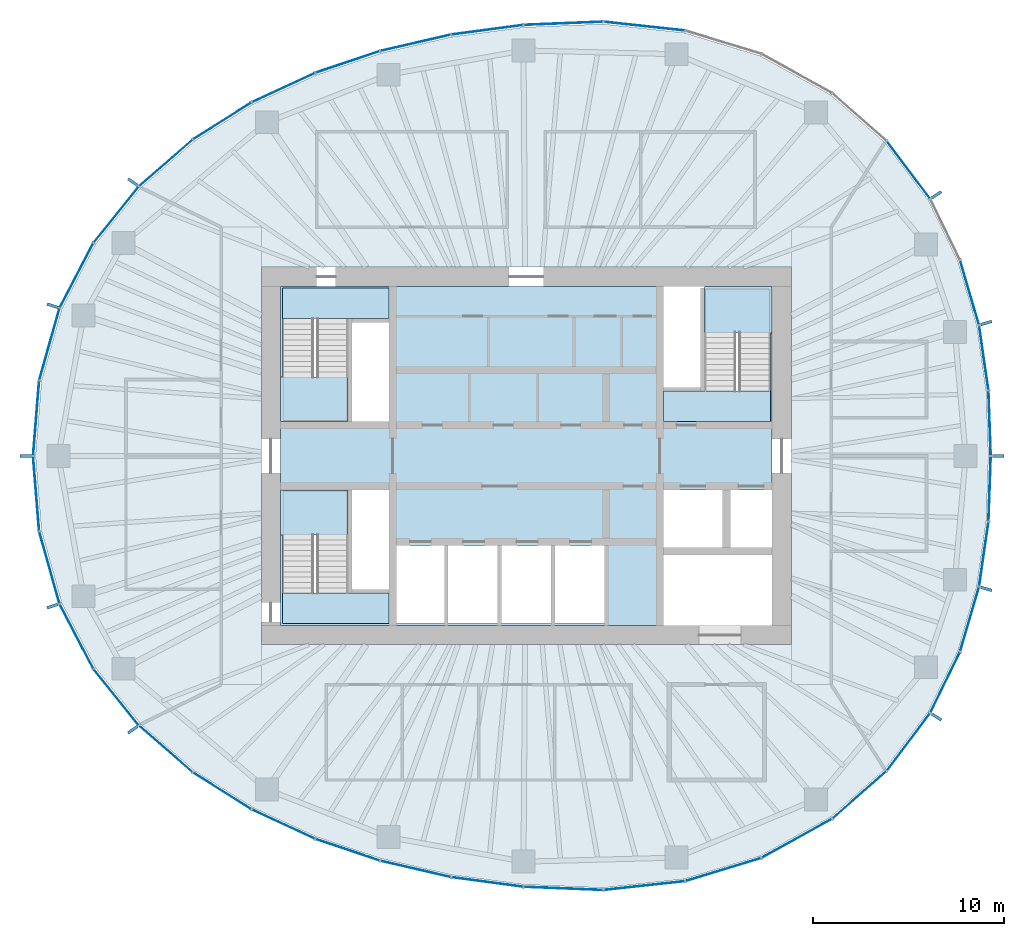
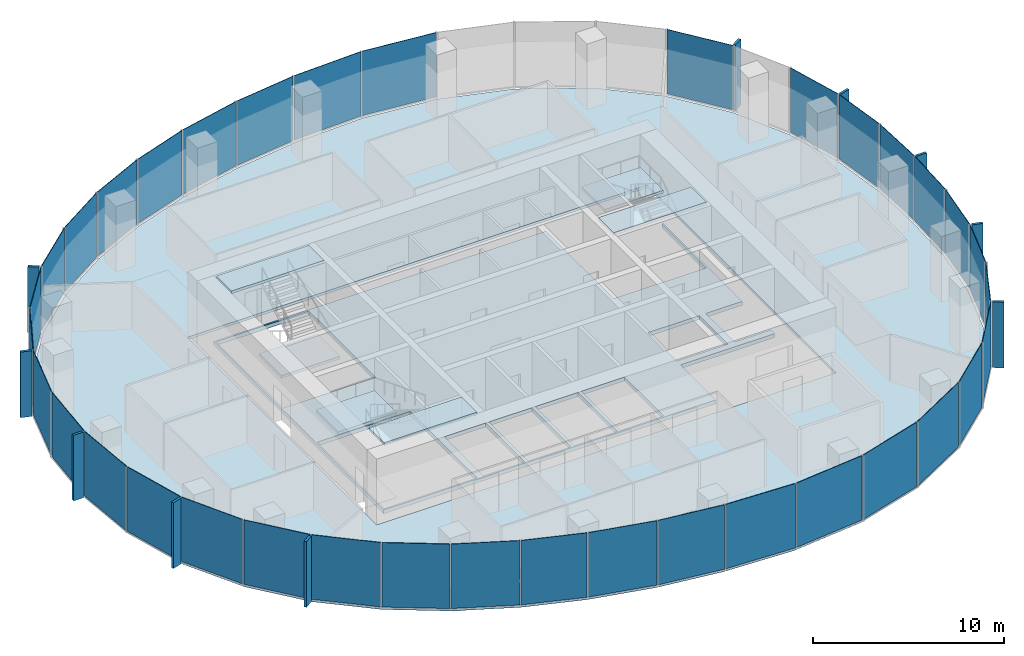
# One storey, part 7 of 11: 46 plates, 8 slabs, 22 elements without a shape of their own.
"""IFC4 building model written with IfcOpenShell, lengths in metres."""

from ifc_helpers import new_model, si_unit, direction, frame, origin, origin_2d, place, context, subcontext, project, spatial, polyline, rectangle, outline, extrude, material, layer, layer_set, type_object, element, aggregate, save


model = new_model("IFC4")

# Units and contexts
model_context = context("Model", 3, precision=1e-05, world=origin(), true_north=direction((0.0, 1.0)))
body_context = subcontext(model_context, "Body", "Model", "MODEL_VIEW")
ifc_project = project(units=[si_unit("LENGTHUNIT", "METRE"), si_unit("AREAUNIT", "SQUARE_METRE"), si_unit("VOLUMEUNIT", "CUBIC_METRE"), si_unit("PLANEANGLEUNIT", "RADIAN"), si_unit("MASSUNIT", "GRAM", prefix="KILO")], contexts=[model_context])

# Site, building, storey
site_placement = place(None, origin())
site = spatial("IfcSite", under=ifc_project, at=site_placement, CompositionType="ELEMENT")
building_placement = place(site_placement, origin())
building = spatial("IfcBuilding", under=site, at=building_placement, Name="Ghaith Harvest Tower", CompositionType="ELEMENT")
storey_placement = place(building_placement, frame((0.0, 0.0, 275.39990234375)))
storey = spatial("IfcBuildingStorey", under=building, at=storey_placement, Name="L61", CompositionType="ELEMENT", Elevation=275.39990234375)

# Curtain wall, plates
ifc_material_1 = material(Name="Black anodised aluminium and fritted glass", Category="aluminium")
curtain_wall_type = type_object("IfcCurtainWallType", Name="CW-T CURTAIN WALL", PredefinedType="NOTDEFINED", material=ifc_material_1)
curtain_wall_1_placement = place(storey_placement, origin())
curtain_wall_1 = element("IfcCurtainWall", 1, at=curtain_wall_1_placement, inside=storey, type_object=curtain_wall_type, Name="Curtain wall CW-T bay 01 L61", PredefinedType="NOTDEFINED")
ifc_material_2 = material(Name="Glass, dark solar-control fritted double glazed unit", Category="glass")
ifc_layer_1 = layer(ifc_material_2, 0.033935546875)
ifc_layer_set_1 = layer_set([ifc_layer_1], Name="CW-T VISION PANEL")
plate_type_1 = type_object("IfcPlateType", Name="CW-T VISION PANEL", PredefinedType="CURTAIN_PANEL", material=ifc_layer_set_1)
plate_1_placement = place(storey_placement, frame((24.308837890625, 1.716796875, 0.080078125), z_axis=(0.0, 0.0, 1.0), x_axis=(-0.035536161859, 0.999368391135, 0.0)))
plate_1 = element("IfcPlate", 2, at=plate_1_placement, type_object=plate_type_1, Name="CW-T glass unit 1 bay 01 L61", PredefinedType="CURTAIN_PANEL", context=body_context, shape_type="SweptSolid", body=[
    extrude(rectangle(XDim=3.35595703125, YDim=0.033935546875, at=origin_2d()), origin(), (0.0, 0.0, 1.0), 4.1201171875),
])
plate_2_placement = place(storey_placement, frame((24.00048828125, 5.1494140625, 0.080078125), z_axis=(0.0, 0.0, 1.0), x_axis=(-0.142729771229, 0.989761694755, 0.0)))
plate_2 = element("IfcPlate", 3, at=plate_2_placement, type_object=plate_type_1, Name="CW-T glass unit 2 bay 01 L61", PredefinedType="CURTAIN_PANEL", context=body_context, shape_type="SweptSolid", body=[
    extrude(rectangle(XDim=3.38671875, YDim=0.033935546875, at=origin_2d()), origin(), (0.0, 0.0, 1.0), 4.1201171875),
])
aggregate(curtain_wall_1, [plate_1, plate_2])

# Curtain wall, plate
curtain_wall_2_placement = place(storey_placement, origin())
curtain_wall_2 = element("IfcCurtainWall", 4, at=curtain_wall_2_placement, inside=storey, type_object=curtain_wall_type, Name="Curtain wall CW-T bay 02 L61", PredefinedType="NOTDEFINED")
plate_3_placement = place(storey_placement, frame((23.253662109375, 8.56884765625, 0.080078125), z_axis=(0.0, 0.0, 1.0), x_axis=(-0.281344622776, 0.959606796159, 0.0)))
plate_3 = element("IfcPlate", 5, at=plate_3_placement, type_object=plate_type_1, Name="CW-T glass unit 1 bay 02 L61", PredefinedType="CURTAIN_PANEL", context=body_context, shape_type="SweptSolid", body=[
    extrude(rectangle(XDim=3.470703125, YDim=0.033935546875, at=origin_2d()), origin(), (0.0, 0.0, 1.0), 4.1201171875),
])
aggregate(curtain_wall_2, [plate_3])

curtain_wall_3_placement = place(storey_placement, origin())
curtain_wall_3 = element("IfcCurtainWall", 6, at=curtain_wall_3_placement, inside=storey, type_object=curtain_wall_type, Name="Curtain wall CW-T bay 03 L61", PredefinedType="NOTDEFINED")
plate_4_placement = place(storey_placement, frame((20.045166015625, 15.006103515625, 0.080078125), z_axis=(0.0, 0.0, 1.0), x_axis=(-0.601047892764, 0.799213007029, 0.0)))
plate_4 = element("IfcPlate", 7, at=plate_4_placement, type_object=plate_type_1, Name="CW-T glass unit 1 bay 03 L61", PredefinedType="CURTAIN_PANEL", context=body_context, shape_type="SweptSolid", body=[
    extrude(rectangle(XDim=3.7265625, YDim=0.033935546875, at=origin_2d()), origin(), (0.0, 0.0, 1.0), 4.1201171875),
])
aggregate(curtain_wall_3, [plate_4])

# Curtain wall, plates
curtain_wall_4_placement = place(storey_placement, origin())
curtain_wall_4 = element("IfcCurtainWall", 8, at=curtain_wall_4_placement, inside=storey, type_object=curtain_wall_type, Name="Curtain wall CW-T bay 05 L61", PredefinedType="NOTDEFINED")
plate_5_placement = place(storey_placement, frame((6.188720703125, 22.542724609375, 0.080078125), z_axis=(0.0, 0.0, 1.0), x_axis=(-0.994142883447, 0.108073712304, 0.0)))
plate_5 = element("IfcPlate", 9, at=plate_5_placement, type_object=plate_type_1, Name="CW-T glass unit 1 bay 05 L61", PredefinedType="CURTAIN_PANEL", context=body_context, shape_type="SweptSolid", body=[
    extrude(rectangle(XDim=4.24755859375, YDim=0.033935546875, at=origin_2d()), origin(), (0.0, 0.0, 1.0), 4.1201171875),
])
plate_6_placement = place(storey_placement, frame((1.94140625, 22.691162109375, 0.080078125), z_axis=(0.0, 0.0, 1.0), x_axis=(-0.999173925852, -0.040638231968, 0.0)))
plate_6 = element("IfcPlate", 10, at=plate_6_placement, type_object=plate_type_1, Name="CW-T glass unit 2 bay 05 L61", PredefinedType="CURTAIN_PANEL", context=body_context, shape_type="SweptSolid", body=[
    extrude(rectangle(XDim=4.115966796875, YDim=0.033935546875, at=origin_2d()), origin(), (0.0, 0.0, 1.0), 4.1201171875),
])
aggregate(curtain_wall_4, [plate_5, plate_6])

curtain_wall_5_placement = place(storey_placement, origin())
curtain_wall_5 = element("IfcCurtainWall", 11, at=curtain_wall_5_placement, inside=storey, type_object=curtain_wall_type, Name="Curtain wall CW-T bay 06 L61", PredefinedType="NOTDEFINED")
plate_7_placement = place(storey_placement, frame((-2.050537109375, 22.352294921875, 0.080078125), z_axis=(0.0, 0.0, 1.0), x_axis=(-0.991165262661, -0.132632658474, 0.0)))
plate_7 = element("IfcPlate", 12, at=plate_7_placement, type_object=plate_type_1, Name="CW-T glass unit 1 bay 06 L61", PredefinedType="CURTAIN_PANEL", context=body_context, shape_type="SweptSolid", body=[
    extrude(rectangle(XDim=3.74560546875, YDim=0.033935546875, at=origin_2d()), origin(), (0.0, 0.0, 1.0), 4.1201171875),
])
plate_8_placement = place(storey_placement, frame((-5.80859375, 21.66845703125, 0.080078125), z_axis=(0.0, 0.0, 1.0), x_axis=(-0.974342245415, -0.225071519297, 0.0)))
plate_8 = element("IfcPlate", 13, at=plate_8_placement, type_object=plate_type_1, Name="CW-T glass unit 2 bay 06 L61", PredefinedType="CURTAIN_PANEL", context=body_context, shape_type="SweptSolid", body=[
    extrude(rectangle(XDim=3.742431640625, YDim=0.033935546875, at=origin_2d()), origin(), (0.0, 0.0, 1.0), 4.1201171875),
])
aggregate(curtain_wall_5, [plate_7, plate_8])

curtain_wall_6_placement = place(storey_placement, origin())
curtain_wall_6 = element("IfcCurtainWall", 14, at=curtain_wall_6_placement, inside=storey, type_object=curtain_wall_type, Name="Curtain wall CW-T bay 07 L61", PredefinedType="NOTDEFINED")
plate_9_placement = place(storey_placement, frame((-9.369140625, 20.665771484375, 0.080078125), z_axis=(0.0, 0.0, 1.0), x_axis=(-0.947586403329, -0.319499621637, 0.0)))
plate_9 = element("IfcPlate", 15, at=plate_9_placement, type_object=plate_type_1, Name="CW-T glass unit 1 bay 07 L61", PredefinedType="CURTAIN_PANEL", context=body_context, shape_type="SweptSolid", body=[
    extrude(rectangle(XDim=3.50439453125, YDim=0.033935546875, at=origin_2d()), origin(), (0.0, 0.0, 1.0), 4.1201171875),
])
plate_10_placement = place(storey_placement, frame((-12.736083984375, 19.3203125, 0.080078125), z_axis=(0.0, 0.0, 1.0), x_axis=(-0.907450165401, -0.420159728334, 0.0)))
plate_10 = element("IfcPlate", 16, at=plate_10_placement, type_object=plate_type_1, Name="CW-T glass unit 2 bay 07 L61", PredefinedType="CURTAIN_PANEL", context=body_context, shape_type="SweptSolid", body=[
    extrude(rectangle(XDim=3.597900390625, YDim=0.033935546875, at=origin_2d()), origin(), (0.0, 0.0, 1.0), 4.1201171875),
])
aggregate(curtain_wall_6, [plate_9, plate_10])

curtain_wall_7_placement = place(storey_placement, origin())
curtain_wall_7 = element("IfcCurtainWall", 17, at=curtain_wall_7_placement, inside=storey, type_object=curtain_wall_type, Name="Curtain wall CW-T bay 08 L61", PredefinedType="NOTDEFINED")
plate_11_placement = place(storey_placement, frame((-15.94970703125, 17.57421875, 0.080078125), z_axis=(0.0, 0.0, 1.0), x_axis=(-0.846043473903, -0.533113909279, 0.0)))
plate_11 = element("IfcPlate", 18, at=plate_11_placement, type_object=plate_type_1, Name="CW-T glass unit 1 bay 08 L61", PredefinedType="CURTAIN_PANEL", context=body_context, shape_type="SweptSolid", body=[
    extrude(rectangle(XDim=3.572021484375, YDim=0.033935546875, at=origin_2d()), origin(), (0.0, 0.0, 1.0), 4.1201171875),
])
plate_12_placement = place(storey_placement, frame((-18.909423828125, 15.371337890625, 0.080078125), z_axis=(0.0, 0.0, 1.0), x_axis=(-0.754828549513, -0.655922145411, 0.0)))
plate_12 = element("IfcPlate", 19, at=plate_12_placement, type_object=plate_type_1, Name="CW-T glass unit 2 bay 08 L61", PredefinedType="CURTAIN_PANEL", context=body_context, shape_type="SweptSolid", body=[
    extrude(rectangle(XDim=3.668701171875, YDim=0.033935546875, at=origin_2d()), origin(), (0.0, 0.0, 1.0), 4.1201171875),
])
aggregate(curtain_wall_7, [plate_11, plate_12])

curtain_wall_8_placement = place(storey_placement, origin())
curtain_wall_8 = element("IfcCurtainWall", 20, at=curtain_wall_8_placement, inside=storey, type_object=curtain_wall_type, Name="Curtain wall CW-T bay 09 L61", PredefinedType="NOTDEFINED")
plate_13_placement = place(storey_placement, frame((-21.515380859375, 12.6591796875, 0.080078125), z_axis=(0.0, 0.0, 1.0), x_axis=(-0.626229505742, -0.779638766441, 0.0)))
plate_13 = element("IfcPlate", 21, at=plate_13_placement, type_object=plate_type_1, Name="CW-T glass unit 1 bay 09 L61", PredefinedType="CURTAIN_PANEL", context=body_context, shape_type="SweptSolid", body=[
    extrude(rectangle(XDim=3.723388671875, YDim=0.033935546875, at=origin_2d()), origin(), (0.0, 0.0, 1.0), 4.1201171875),
])
plate_14_placement = place(storey_placement, frame((-23.594482421875, 9.4677734375, 0.080078125), z_axis=(0.0, 0.0, 1.0), x_axis=(-0.461229945578, -0.887280641794, 0.0)))
plate_14 = element("IfcPlate", 22, at=plate_14_placement, type_object=plate_type_1, Name="CW-T glass unit 2 bay 09 L61", PredefinedType="CURTAIN_PANEL", context=body_context, shape_type="SweptSolid", body=[
    extrude(rectangle(XDim=3.771728515625, YDim=0.033935546875, at=origin_2d()), origin(), (0.0, 0.0, 1.0), 4.1201171875),
])
aggregate(curtain_wall_8, [plate_13, plate_14])

curtain_wall_9_placement = place(storey_placement, origin())
curtain_wall_9 = element("IfcCurtainWall", 23, at=curtain_wall_9_placement, inside=storey, type_object=curtain_wall_type, Name="Curtain wall CW-T bay 10 L61", PredefinedType="NOTDEFINED")
plate_15_placement = place(storey_placement, frame((-25.017333984375, 5.85546875, 0.080078125), z_axis=(0.0, 0.0, 1.0), x_axis=(-0.270355239749, -0.962760637095, 0.0)))
plate_15 = element("IfcPlate", 24, at=plate_15_placement, type_object=plate_type_1, Name="CW-T glass unit 1 bay 10 L61", PredefinedType="CURTAIN_PANEL", context=body_context, shape_type="SweptSolid", body=[
    extrude(rectangle(XDim=3.874267578125, YDim=0.033935546875, at=origin_2d()), origin(), (0.0, 0.0, 1.0), 4.1201171875),
])
plate_16_placement = place(storey_placement, frame((-25.7109375, 1.97607421875, 0.080078125), z_axis=(0.0, 0.0, 1.0), x_axis=(-0.080257648011, -0.99677415192, 0.0)))
plate_16 = element("IfcPlate", 25, at=plate_16_placement, type_object=plate_type_1, Name="CW-T glass unit 2 bay 10 L61", PredefinedType="CURTAIN_PANEL", context=body_context, shape_type="SweptSolid", body=[
    extrude(rectangle(XDim=3.884765625, YDim=0.033935546875, at=origin_2d()), origin(), (0.0, 0.0, 1.0), 4.1201171875),
])
aggregate(curtain_wall_9, [plate_15, plate_16])

curtain_wall_10_placement = place(storey_placement, origin())
curtain_wall_10 = element("IfcCurtainWall", 26, at=curtain_wall_10_placement, inside=storey, type_object=curtain_wall_type, Name="Curtain wall CW-T bay 11 L61", PredefinedType="NOTDEFINED")
plate_17_placement = place(storey_placement, frame((-25.7109375, -1.97607421875, 0.080078125), z_axis=(0.0, 0.0, 1.0), x_axis=(0.080257648324, -0.996774151895, 0.0)))
plate_17 = element("IfcPlate", 27, at=plate_17_placement, type_object=plate_type_1, Name="CW-T glass unit 1 bay 11 L61", PredefinedType="CURTAIN_PANEL", context=body_context, shape_type="SweptSolid", body=[
    extrude(rectangle(XDim=3.884765625, YDim=0.033935546875, at=origin_2d()), origin(), (0.0, 0.0, 1.0), 4.1201171875),
])
plate_18_placement = place(storey_placement, frame((-25.017333984375, -5.85546875, 0.080078125), z_axis=(0.0, 0.0, 1.0), x_axis=(0.27035523953, -0.962760637157, 0.0)))
plate_18 = element("IfcPlate", 28, at=plate_18_placement, type_object=plate_type_1, Name="CW-T glass unit 2 bay 11 L61", PredefinedType="CURTAIN_PANEL", context=body_context, shape_type="SweptSolid", body=[
    extrude(rectangle(XDim=3.874267578125, YDim=0.033935546875, at=origin_2d()), origin(), (0.0, 0.0, 1.0), 4.1201171875),
])
aggregate(curtain_wall_10, [plate_17, plate_18])

curtain_wall_11_placement = place(storey_placement, origin())
curtain_wall_11 = element("IfcCurtainWall", 29, at=curtain_wall_11_placement, inside=storey, type_object=curtain_wall_type, Name="Curtain wall CW-T bay 12 L61", PredefinedType="NOTDEFINED")
plate_19_placement = place(storey_placement, frame((-23.594482421875, -9.4677734375, 0.080078125), z_axis=(0.0, 0.0, 1.0), x_axis=(0.461229945377, -0.887280641898, 0.0)))
plate_19 = element("IfcPlate", 30, at=plate_19_placement, type_object=plate_type_1, Name="CW-T glass unit 1 bay 12 L61", PredefinedType="CURTAIN_PANEL", context=body_context, shape_type="SweptSolid", body=[
    extrude(rectangle(XDim=3.771728515625, YDim=0.033935546875, at=origin_2d()), origin(), (0.0, 0.0, 1.0), 4.1201171875),
])
plate_20_placement = place(storey_placement, frame((-21.515380859375, -12.6591796875, 0.080078125), z_axis=(0.0, 0.0, 1.0), x_axis=(0.626229505565, -0.779638766583, 0.0)))
plate_20 = element("IfcPlate", 31, at=plate_20_placement, type_object=plate_type_1, Name="CW-T glass unit 2 bay 12 L61", PredefinedType="CURTAIN_PANEL", context=body_context, shape_type="SweptSolid", body=[
    extrude(rectangle(XDim=3.723388671875, YDim=0.033935546875, at=origin_2d()), origin(), (0.0, 0.0, 1.0), 4.1201171875),
])
aggregate(curtain_wall_11, [plate_19, plate_20])

curtain_wall_12_placement = place(storey_placement, origin())
curtain_wall_12 = element("IfcCurtainWall", 32, at=curtain_wall_12_placement, inside=storey, type_object=curtain_wall_type, Name="Curtain wall CW-T bay 13 L61", PredefinedType="NOTDEFINED")
plate_21_placement = place(storey_placement, frame((-18.909423828125, -15.371337890625, 0.080078125), z_axis=(0.0, 0.0, 1.0), x_axis=(0.754828549376, -0.655922145569, 0.0)))
plate_21 = element("IfcPlate", 33, at=plate_21_placement, type_object=plate_type_1, Name="CW-T glass unit 1 bay 13 L61", PredefinedType="CURTAIN_PANEL", context=body_context, shape_type="SweptSolid", body=[
    extrude(rectangle(XDim=3.668701171875, YDim=0.033935546875, at=origin_2d()), origin(), (0.0, 0.0, 1.0), 4.1201171875),
])
plate_22_placement = place(storey_placement, frame((-15.94970703125, -17.57421875, 0.080078125), z_axis=(0.0, 0.0, 1.0), x_axis=(0.846043474052, -0.533113909042, 0.0)))
plate_22 = element("IfcPlate", 34, at=plate_22_placement, type_object=plate_type_1, Name="CW-T glass unit 2 bay 13 L61", PredefinedType="CURTAIN_PANEL", context=body_context, shape_type="SweptSolid", body=[
    extrude(rectangle(XDim=3.572021484375, YDim=0.033935546875, at=origin_2d()), origin(), (0.0, 0.0, 1.0), 4.1201171875),
])
aggregate(curtain_wall_12, [plate_21, plate_22])

curtain_wall_13_placement = place(storey_placement, origin())
curtain_wall_13 = element("IfcCurtainWall", 35, at=curtain_wall_13_placement, inside=storey, type_object=curtain_wall_type, Name="Curtain wall CW-T bay 14 L61", PredefinedType="NOTDEFINED")
plate_23_placement = place(storey_placement, frame((-12.736083984375, -19.3203125, 0.080078125), z_axis=(0.0, 0.0, 1.0), x_axis=(0.907450165812, -0.420159727447, 0.0)))
plate_23 = element("IfcPlate", 36, at=plate_23_placement, type_object=plate_type_1, Name="CW-T glass unit 1 bay 14 L61", PredefinedType="CURTAIN_PANEL", context=body_context, shape_type="SweptSolid", body=[
    extrude(rectangle(XDim=3.597900390625, YDim=0.033935546875, at=origin_2d()), origin(), (0.0, 0.0, 1.0), 4.1201171875),
])
plate_24_placement = place(storey_placement, frame((-9.369140625, -20.665771484375, 0.080078125), z_axis=(0.0, 0.0, 1.0), x_axis=(0.947586403597, -0.319499620843, 0.0)))
plate_24 = element("IfcPlate", 37, at=plate_24_placement, type_object=plate_type_1, Name="CW-T glass unit 2 bay 14 L61", PredefinedType="CURTAIN_PANEL", context=body_context, shape_type="SweptSolid", body=[
    extrude(rectangle(XDim=3.50439453125, YDim=0.033935546875, at=origin_2d()), origin(), (0.0, 0.0, 1.0), 4.1201171875),
])
aggregate(curtain_wall_13, [plate_23, plate_24])

curtain_wall_14_placement = place(storey_placement, origin())
curtain_wall_14 = element("IfcCurtainWall", 38, at=curtain_wall_14_placement, inside=storey, type_object=curtain_wall_type, Name="Curtain wall CW-T bay 15 L61", PredefinedType="NOTDEFINED")
plate_25_placement = place(storey_placement, frame((-5.80859375, -21.66845703125, 0.080078125), z_axis=(0.0, 0.0, 1.0), x_axis=(0.974342245521, -0.225071518838, 0.0)))
plate_25 = element("IfcPlate", 39, at=plate_25_placement, type_object=plate_type_1, Name="CW-T glass unit 1 bay 15 L61", PredefinedType="CURTAIN_PANEL", context=body_context, shape_type="SweptSolid", body=[
    extrude(rectangle(XDim=3.742431640625, YDim=0.033935546875, at=origin_2d()), origin(), (0.0, 0.0, 1.0), 4.1201171875),
])
plate_26_placement = place(storey_placement, frame((-2.050537109375, -22.352294921875, 0.080078125), z_axis=(0.0, 0.0, 1.0), x_axis=(0.991165262684, -0.132632658301, 0.0)))
plate_26 = element("IfcPlate", 40, at=plate_26_placement, type_object=plate_type_1, Name="CW-T glass unit 2 bay 15 L61", PredefinedType="CURTAIN_PANEL", context=body_context, shape_type="SweptSolid", body=[
    extrude(rectangle(XDim=3.74560546875, YDim=0.033935546875, at=origin_2d()), origin(), (0.0, 0.0, 1.0), 4.1201171875),
])
aggregate(curtain_wall_14, [plate_25, plate_26])

curtain_wall_15_placement = place(storey_placement, origin())
curtain_wall_15 = element("IfcCurtainWall", 41, at=curtain_wall_15_placement, inside=storey, type_object=curtain_wall_type, Name="Curtain wall CW-T bay 16 L61", PredefinedType="NOTDEFINED")
plate_27_placement = place(storey_placement, frame((1.94140625, -22.691162109375, 0.080078125), z_axis=(0.0, 0.0, 1.0), x_axis=(0.999173925863, -0.040638231706, 0.0)))
plate_27 = element("IfcPlate", 42, at=plate_27_placement, type_object=plate_type_1, Name="CW-T glass unit 1 bay 16 L61", PredefinedType="CURTAIN_PANEL", context=body_context, shape_type="SweptSolid", body=[
    extrude(rectangle(XDim=4.115966796875, YDim=0.033935546875, at=origin_2d()), origin(), (0.0, 0.0, 1.0), 4.1201171875),
])
plate_28_placement = place(storey_placement, frame((6.188720703125, -22.542724609375, 0.080078125), z_axis=(0.0, 0.0, 1.0), x_axis=(0.994142883417, 0.108073712581, 0.0)))
plate_28 = element("IfcPlate", 43, at=plate_28_placement, type_object=plate_type_1, Name="CW-T glass unit 2 bay 16 L61", PredefinedType="CURTAIN_PANEL", context=body_context, shape_type="SweptSolid", body=[
    extrude(rectangle(XDim=4.24755859375, YDim=0.033935546875, at=origin_2d()), origin(), (0.0, 0.0, 1.0), 4.1201171875),
])
aggregate(curtain_wall_15, [plate_27, plate_28])

curtain_wall_16_placement = place(storey_placement, origin())
curtain_wall_16 = element("IfcCurtainWall", 44, at=curtain_wall_16_placement, inside=storey, type_object=curtain_wall_type, Name="Curtain wall CW-T bay 17 L61", PredefinedType="NOTDEFINED")
plate_29_placement = place(storey_placement, frame((10.337158203125, -21.700439453125, 0.080078125), z_axis=(0.0, 0.0, 1.0), x_axis=(0.956587736012, 0.291444511548, 0.0)))
plate_29 = element("IfcPlate", 45, at=plate_29_placement, type_object=plate_type_1, Name="CW-T glass unit 1 bay 17 L61", PredefinedType="CURTAIN_PANEL", context=body_context, shape_type="SweptSolid", body=[
    extrude(rectangle(XDim=4.095703125, YDim=0.033935546875, at=origin_2d()), origin(), (0.0, 0.0, 1.0), 4.1201171875),
])
plate_30_placement = place(storey_placement, frame((14.19189453125, -20.06201171875, 0.080078125), z_axis=(0.0, 0.0, 1.0), x_axis=(0.874564022715, 0.484910064004, 0.0)))
plate_30 = element("IfcPlate", 46, at=plate_30_placement, type_object=plate_type_1, Name="CW-T glass unit 2 bay 17 L61", PredefinedType="CURTAIN_PANEL", context=body_context, shape_type="SweptSolid", body=[
    extrude(rectangle(XDim=4.167724609375, YDim=0.033935546875, at=origin_2d()), origin(), (0.0, 0.0, 1.0), 4.1201171875),
])
aggregate(curtain_wall_16, [plate_29, plate_30])

curtain_wall_17_placement = place(storey_placement, origin())
curtain_wall_17 = element("IfcCurtainWall", 47, at=curtain_wall_17_placement, inside=storey, type_object=curtain_wall_type, Name="Curtain wall CW-T bay 18 L61", PredefinedType="NOTDEFINED")
plate_31_placement = place(storey_placement, frame((17.47509765625, -17.779541015625, 0.080078125), z_axis=(0.0, 0.0, 1.0), x_axis=(0.751334532577, 0.659921525757, 0.0)))
plate_31 = element("IfcPlate", 48, at=plate_31_placement, type_object=plate_type_1, Name="CW-T glass unit 1 bay 18 L61", PredefinedType="CURTAIN_PANEL", context=body_context, shape_type="SweptSolid", body=[
    extrude(rectangle(XDim=3.7158203125, YDim=0.033935546875, at=origin_2d()), origin(), (0.0, 0.0, 1.0), 4.1201171875),
])
plate_32_placement = place(storey_placement, frame((20.045166015625, -15.006103515625, 0.080078125), z_axis=(0.0, 0.0, 1.0), x_axis=(0.601047892945, 0.799213006892, 0.0)))
plate_32 = element("IfcPlate", 49, at=plate_32_placement, type_object=plate_type_1, Name="CW-T glass unit 2 bay 18 L61", PredefinedType="CURTAIN_PANEL", context=body_context, shape_type="SweptSolid", body=[
    extrude(rectangle(XDim=3.7265625, YDim=0.033935546875, at=origin_2d()), origin(), (0.0, 0.0, 1.0), 4.1201171875),
])
aggregate(curtain_wall_17, [plate_31, plate_32])

curtain_wall_18_placement = place(storey_placement, origin())
curtain_wall_18 = element("IfcCurtainWall", 50, at=curtain_wall_18_placement, inside=storey, type_object=curtain_wall_type, Name="Curtain wall CW-T bay 19 L61", PredefinedType="NOTDEFINED")
plate_33_placement = place(storey_placement, frame((21.9716796875, -11.878662109375, 0.080078125), z_axis=(0.0, 0.0, 1.0), x_axis=(0.437968365352, 0.898990384237, 0.0)))
plate_33 = element("IfcPlate", 51, at=plate_33_placement, type_object=plate_type_1, Name="CW-T glass unit 1 bay 19 L61", PredefinedType="CURTAIN_PANEL", context=body_context, shape_type="SweptSolid", body=[
    extrude(rectangle(XDim=3.49365234375, YDim=0.033935546875, at=origin_2d()), origin(), (0.0, 0.0, 1.0), 4.1201171875),
])
plate_34_placement = place(storey_placement, frame((23.253662109375, -8.56884765625, 0.080078125), z_axis=(0.0, 0.0, 1.0), x_axis=(0.281344622977, 0.9596067961, 0.0)))
plate_34 = element("IfcPlate", 52, at=plate_34_placement, type_object=plate_type_1, Name="CW-T glass unit 2 bay 19 L61", PredefinedType="CURTAIN_PANEL", context=body_context, shape_type="SweptSolid", body=[
    extrude(rectangle(XDim=3.470703125, YDim=0.033935546875, at=origin_2d()), origin(), (0.0, 0.0, 1.0), 4.1201171875),
])
aggregate(curtain_wall_18, [plate_33, plate_34])

curtain_wall_19_placement = place(storey_placement, origin())
curtain_wall_19 = element("IfcCurtainWall", 53, at=curtain_wall_19_placement, inside=storey, type_object=curtain_wall_type, Name="Curtain wall CW-T bay 20 L61", PredefinedType="NOTDEFINED")
plate_35_placement = place(storey_placement, frame((24.00048828125, -5.1494140625, 0.080078125), z_axis=(0.0, 0.0, 1.0), x_axis=(0.142729771402, 0.98976169473, 0.0)))
plate_35 = element("IfcPlate", 54, at=plate_35_placement, type_object=plate_type_1, Name="CW-T glass unit 1 bay 20 L61", PredefinedType="CURTAIN_PANEL", context=body_context, shape_type="SweptSolid", body=[
    extrude(rectangle(XDim=3.38671875, YDim=0.033935546875, at=origin_2d()), origin(), (0.0, 0.0, 1.0), 4.1201171875),
])
plate_36_placement = place(storey_placement, frame((24.308837890625, -1.716796875, 0.080078125), z_axis=(0.0, 0.0, 1.0), x_axis=(0.035536161929, 0.999368391133, 0.0)))
plate_36 = element("IfcPlate", 55, at=plate_36_placement, type_object=plate_type_1, Name="CW-T glass unit 2 bay 20 L61", PredefinedType="CURTAIN_PANEL", context=body_context, shape_type="SweptSolid", body=[
    extrude(rectangle(XDim=3.35595703125, YDim=0.033935546875, at=origin_2d()), origin(), (0.0, 0.0, 1.0), 4.1201171875),
])
aggregate(curtain_wall_19, [plate_35, plate_36])

# Slabs
ifc_material_3 = material(Name="Concrete C40/50", Category="concrete")
ifc_layer_2 = layer(ifc_material_3, 0.169921875)
ifc_layer_set_2 = layer_set([ifc_layer_2], Name="FLOOR SLAB 170")
slab_type_1 = type_object("IfcSlabType", Name="FLOOR SLAB 170", PredefinedType="FLOOR", material=ifc_layer_set_2)
slab_1_placement = place(storey_placement, frame((0.0, 0.0, -0.169921875)))
element("IfcSlab", 56, at=slab_1_placement, inside=storey, type_object=slab_type_1, Name="Floor slab L61", PredefinedType="FLOOR", context=body_context, shape_type="SweptSolid", body=[
    extrude(outline(polyline([(24.25, 0.0), (24.129150390625, 3.4169921875), (23.6376953125, 6.831787109375), (22.644775390625, 10.222900390625), (21.087890625, 13.42041015625), (18.810791015625, 16.4482421875), (15.971923828125, 18.940185546875), (12.273681640625, 20.98828125), (8.2978515625, 22.1962890625), (4.016845703125, 22.658447265625), (-0.15380859375, 22.486083984375), (-3.92529296875, 21.98046875), (-7.6298828125, 21.12548828125), (-11.009521484375, 19.98779296875), (-14.331298828125, 18.452880859375), (-17.40771484375, 16.518310546875), (-20.225830078125, 14.0732421875), (-22.5986328125, 11.12353515625), (-24.368408203125, 7.722900390625), (-25.43310546875, 3.93359375), (-25.75, 0.0), (-25.43310546875, -3.93359375), (-24.368408203125, -7.722900390625), (-22.5986328125, -11.12353515625), (-20.225830078125, -14.0732421875), (-17.40771484375, -16.518310546875), (-14.331298828125, -18.452880859375), (-11.009521484375, -19.98779296875), (-7.6298828125, -21.12548828125), (-3.92529296875, -21.98046875), (-0.15380859375, -22.486083984375), (4.016845703125, -22.658447265625), (8.2978515625, -22.1962890625), (12.273681640625, -20.98828125), (15.971923828125, -18.940185546875), (18.810791015625, -16.4482421875), (21.087890625, -13.42041015625), (22.644775390625, -10.222900390625), (23.6376953125, -6.831787109375), (24.129150390625, -3.4169921875), (24.25, 0.0)]), holes=[polyline([(-13.89990234375, -9.89990234375), (13.89990234375, -9.89990234375), (13.89990234375, 9.89990234375), (-13.89990234375, 9.89990234375), (-13.89990234375, -9.89990234375)])]), origin(), (0.0, 0.0, 1.0), 0.169921875),
])
ifc_material_4 = material(Name="Concrete C40/50", Category="concrete")
ifc_layer_3 = layer(ifc_material_4, 0.25)
ifc_layer_set_3 = layer_set([ifc_layer_3], Name="FLOOR SLAB 250")
slab_type_2 = type_object("IfcSlabType", Name="FLOOR SLAB 250", PredefinedType="FLOOR", material=ifc_layer_set_3)
slab_2_placement = place(storey_placement, frame((0.0, 0.0, -0.25)))
element("IfcSlab", 57, at=slab_2_placement, inside=storey, type_object=slab_type_2, Name="Core slab L61", PredefinedType="FLOOR", context=body_context, shape_type="SweptSolid", body=[
    extrude(outline(polyline([(-12.89990234375, 8.89990234375), (7.199951171875, 8.89990234375), (7.199951171875, 1.800048828125), (12.800048828125, 1.800048828125), (12.800048828125, 6.4599609375), (12.89990234375, 6.4599609375), (12.89990234375, -1.800048828125), (10.699951171875, -1.800048828125), (10.699951171875, -4.800048828125), (12.89990234375, -4.800048828125), (12.89990234375, -5.199951171875), (7.199951171875, -5.199951171875), (7.199951171875, -8.89990234375), (-12.89990234375, -8.89990234375), (-12.89990234375, 8.89990234375)]), holes=[polyline([(-4.300048828125, -4.699951171875), (-6.800048828125, -4.699951171875), (-6.800048828125, -8.800048828125), (-4.300048828125, -8.800048828125), (-4.300048828125, -4.699951171875)]), polyline([(-1.5, -4.699951171875), (-4.10009765625, -4.699951171875), (-4.10009765625, -8.800048828125), (-1.5, -8.800048828125), (-1.5, -4.699951171875)]), polyline([(1.300048828125, -8.800048828125), (1.300048828125, -4.699951171875), (-1.300048828125, -4.699951171875), (-1.300048828125, -8.800048828125), (1.300048828125, -8.800048828125)]), polyline([(4.10009765625, -8.800048828125), (4.10009765625, -4.699951171875), (1.5, -4.699951171875), (1.5, -8.800048828125), (4.10009765625, -8.800048828125)]), polyline([(-7.199951171875, -1.800048828125), (-12.800048828125, -1.800048828125), (-12.800048828125, -8.800048828125), (-7.199951171875, -8.800048828125), (-7.199951171875, -1.800048828125)]), polyline([(10.300048828125, -1.800048828125), (7.199951171875, -1.800048828125), (7.199951171875, -4.800048828125), (10.300048828125, -4.800048828125), (10.300048828125, -1.800048828125)]), polyline([(-12.800048828125, 1.800048828125), (-7.199951171875, 1.800048828125), (-7.199951171875, 8.800048828125), (-12.800048828125, 8.800048828125), (-12.800048828125, 1.800048828125)])]), origin(), (0.0, 0.0, 1.0), 0.25),
])

# Stair, slabs
ifc_material_5 = material(Name="Concrete C40/50, precast", Category="concrete")
stair_type = type_object("IfcStairType", Name="CORE STAIR 24R", PredefinedType="HALF_TURN_STAIR", material=ifc_material_5)
stair_1_placement = place(storey_placement, origin())
stair_1 = element("IfcStair", 58, at=stair_1_placement, inside=storey, type_object=stair_type, Name="Stair ST1 L61", PredefinedType="HALF_TURN_STAIR")
ifc_material_6 = material(Name="Concrete C40/50, precast", Category="concrete")
ifc_layer_4 = layer(ifc_material_6, 0.179931640625)
ifc_layer_set_4 = layer_set([ifc_layer_4], Name="STAIR LANDING 180")
slab_type_3 = type_object("IfcSlabType", Name="STAIR LANDING 180", PredefinedType="LANDING", material=ifc_layer_set_4)
slab_3_placement = place(storey_placement, frame((0.0, 0.0, 1.920166015625)))
slab_3 = element("IfcSlab", 59, at=slab_3_placement, type_object=slab_type_3, Name="ST1 landing 1", PredefinedType="LANDING", context=body_context, shape_type="SweptSolid", body=[
    extrude(outline(polyline([(-12.89990234375, 4.139892578125), (-12.89990234375, 1.800048828125), (-9.35009765625, 1.800048828125), (-9.35009765625, 4.139892578125), (-12.89990234375, 4.139892578125)])), origin(), (0.0, 0.0, 1.0), 0.179931640625),
])
slab_4_placement = place(storey_placement, frame((0.0, 0.0, 4.02001953125)))
slab_4 = element("IfcSlab", 60, at=slab_4_placement, type_object=slab_type_3, Name="ST1 landing 2", PredefinedType="LANDING", context=body_context, shape_type="SweptSolid", body=[
    extrude(outline(polyline([(-12.800048828125, 8.800048828125), (-12.800048828125, 7.199951171875), (-7.199951171875, 7.199951171875), (-7.199951171875, 8.800048828125), (-12.800048828125, 8.800048828125)])), origin(), (0.0, 0.0, 1.0), 0.18017578125),
])
aggregate(stair_1, [slab_3, slab_4])

stair_2_placement = place(storey_placement, origin())
stair_2 = element("IfcStair", 61, at=stair_2_placement, inside=storey, type_object=stair_type, Name="Stair ST3 L61", PredefinedType="HALF_TURN_STAIR")
slab_5_placement = place(storey_placement, frame((0.0, 0.0, 1.920166015625)))
slab_5 = element("IfcSlab", 62, at=slab_5_placement, type_object=slab_type_3, Name="ST3 landing 1", PredefinedType="LANDING", context=body_context, shape_type="SweptSolid", body=[
    extrude(outline(polyline([(-12.89990234375, -4.139892578125), (-12.89990234375, -1.800048828125), (-9.35009765625, -1.800048828125), (-9.35009765625, -4.139892578125), (-12.89990234375, -4.139892578125)])), origin(), (0.0, 0.0, 1.0), 0.179931640625),
])
slab_6_placement = place(storey_placement, frame((0.0, 0.0, 4.02001953125)))
slab_6 = element("IfcSlab", 63, at=slab_6_placement, type_object=slab_type_3, Name="ST3 landing 2", PredefinedType="LANDING", context=body_context, shape_type="SweptSolid", body=[
    extrude(outline(polyline([(-12.800048828125, -8.800048828125), (-12.800048828125, -7.199951171875), (-7.199951171875, -7.199951171875), (-7.199951171875, -8.800048828125), (-12.800048828125, -8.800048828125)])), origin(), (0.0, 0.0, 1.0), 0.18017578125),
])
aggregate(stair_2, [slab_5, slab_6])

stair_3_placement = place(storey_placement, origin())
stair_3 = element("IfcStair", 64, at=stair_3_placement, inside=storey, type_object=stair_type, Name="Stair ST2 L61", PredefinedType="HALF_TURN_STAIR")
slab_7_placement = place(storey_placement, frame((0.0, 0.0, 1.920166015625)))
slab_7 = element("IfcSlab", 65, at=slab_7_placement, type_object=slab_type_3, Name="ST2 landing 1", PredefinedType="LANDING", context=body_context, shape_type="SweptSolid", body=[
    extrude(outline(polyline([(12.89990234375, 6.4599609375), (12.89990234375, 8.89990234375), (9.35009765625, 8.89990234375), (9.35009765625, 6.4599609375), (12.89990234375, 6.4599609375)])), origin(), (0.0, 0.0, 1.0), 0.179931640625),
])
slab_8_placement = place(storey_placement, frame((0.0, 0.0, 4.02001953125)))
slab_8 = element("IfcSlab", 66, at=slab_8_placement, type_object=slab_type_3, Name="ST2 landing 2", PredefinedType="LANDING", context=body_context, shape_type="SweptSolid", body=[
    extrude(outline(polyline([(12.800048828125, 1.800048828125), (12.800048828125, 3.39990234375), (7.199951171875, 3.39990234375), (7.199951171875, 1.800048828125), (12.800048828125, 1.800048828125)])), origin(), (0.0, 0.0, 1.0), 0.18017578125),
])
aggregate(stair_3, [slab_7, slab_8])

# Plates
ifc_material_7 = material(Name="Glassfibre-reinforced concrete", Category="concrete")
ifc_layer_5 = layer(ifc_material_7, 0.14990234375)
ifc_layer_set_5 = layer_set([ifc_layer_5], Name="SUN-BREAKER FIN 600x150")
plate_type_2 = type_object("IfcPlateType", Name="SUN-BREAKER FIN 600x150", PredefinedType="USERDEFINED", material=ifc_layer_set_5)
for number, where, z_axis, x_axis, name in (
    (67, (24.760009765625, 0.0, 0.0), (0.0, 0.0, 1.0), (1.0, 0.0, 0.0), "Sun-breaker fin CW-T 1 bay 01 L61"),
    (68, (24.127685546875, 6.973388671875, 0.0), (0.0, 0.0, 1.0), (0.960680349985, 0.277656739792, 0.0), "Sun-breaker fin CW-T 1 bay 02 L61"),
    (69, (21.51806640625, 13.6943359375, 0.0), (0.0, 0.0, 1.0), (0.843643971464, 0.536903016766, 0.0), "Sun-breaker fin CW-T 1 bay 03 L61"),
    (70, (-20.64453125, 14.364501953125, 0.0), (0.0, 0.0, 1.0), (-0.820845486523, 0.571150319316, 0.0), "Sun-breaker fin CW-T 1 bay 09 L61"),
    (71, (-24.8544921875, 7.876708984375, 0.0), (0.0, 0.0, 1.0), (-0.953273219358, 0.302109531884, 0.0), "Sun-breaker fin CW-T 1 bay 10 L61"),
    (72, (-26.260009765625, 0.0, 0.0), (0.0, 0.0, 1.0), (-1.0, -4.19e-10, 0.0), "Sun-breaker fin CW-T 1 bay 11 L61"),
    (73, (-24.8544921875, -7.876708984375, 0.0), (0.0, 0.0, 1.0), (-0.953273219416, -0.302109531701, 0.0), "Sun-breaker fin CW-T 1 bay 12 L61"),
    (74, (-20.64453125, -14.364501953125, 0.0), (0.0, 0.0, 1.0), (-0.820845486622, -0.571150319173, 0.0), "Sun-breaker fin CW-T 1 bay 13 L61"),
    (75, (21.51806640625, -13.6943359375, 0.0), (0.0, 0.0, 1.0), (0.84364397137, -0.536903016913, 0.0), "Sun-breaker fin CW-T 1 bay 19 L61"),
    (76, (24.127685546875, -6.973388671875, 0.0), (0.0, 0.0, 1.0), (0.960680349932, -0.277656739976, 0.0), "Sun-breaker fin CW-T 1 bay 20 L61"),
):
    element("IfcPlate", number, at=place(storey_placement, frame(where, z_axis=z_axis, x_axis=x_axis)), inside=storey, type_object=plate_type_2, Name=name, ObjectType="SUN-BREAKER FIN", PredefinedType="USERDEFINED", context=body_context, shape_type="SweptSolid", body=[
        extrude(rectangle(XDim=0.60009765625, YDim=0.14990234375, at=origin_2d()), origin(), (0.0, 0.0, 1.0), 4.199951171875),
    ])

save(model, "model.ifc")
